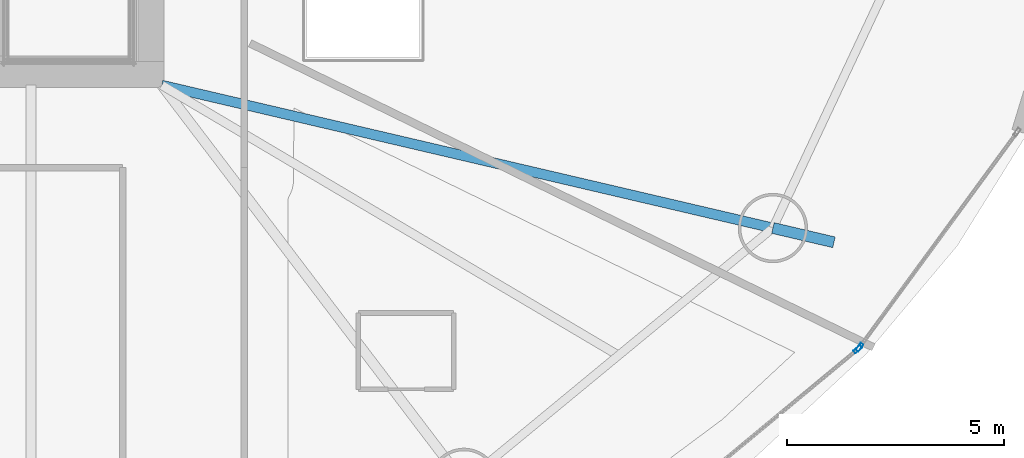
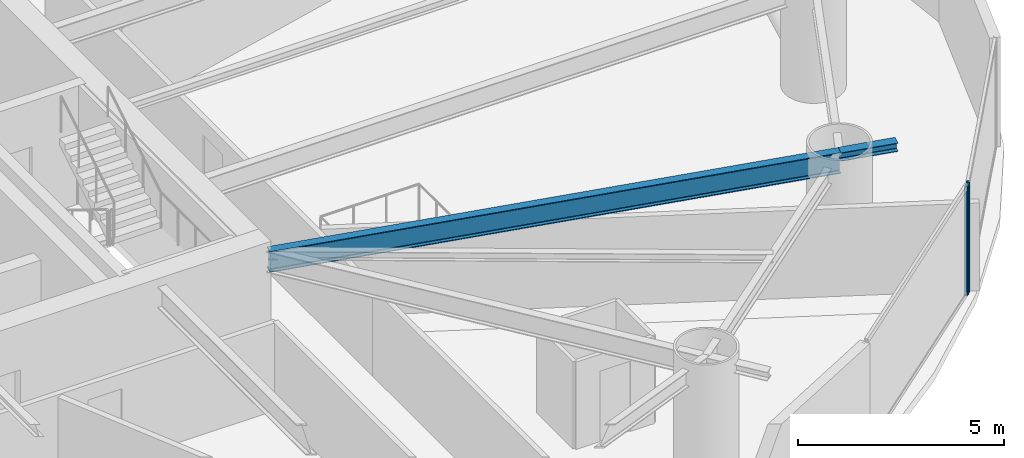
# One storey, part 7 of 20: 2 beams, 2 members, 2 elements without a shape of their own.
"""IFC4 building model written with IfcOpenShell, lengths in metres."""

from ifc_helpers import new_model, si_unit, direction, frame, origin, origin_2d, place, context, subcontext, project, spatial, hollow_rectangle, i_section, extrude, material, layer, layer_set, material_profile, profile_set, type_object, element, aggregate, save


model = new_model("IFC4")

# Units and contexts
model_context = context("Model", 3, precision=1e-05, world=origin(), true_north=direction((0.0, 1.0)))
body_context = subcontext(model_context, "Body", "Model", "MODEL_VIEW")
ifc_project = project(units=[si_unit("LENGTHUNIT", "METRE"), si_unit("AREAUNIT", "SQUARE_METRE"), si_unit("VOLUMEUNIT", "CUBIC_METRE"), si_unit("PLANEANGLEUNIT", "RADIAN"), si_unit("MASSUNIT", "GRAM", prefix="KILO")], contexts=[model_context])

# Site, building, storey
site_placement = place(None, origin())
site = spatial("IfcSite", under=ifc_project, at=site_placement, CompositionType="ELEMENT")
building_placement = place(site_placement, origin())
building = spatial("IfcBuilding", under=site, at=building_placement, Name="Bramvorn Convention Spire", CompositionType="ELEMENT")
storey_placement = place(building_placement, frame((0.0, 0.0, 58.89990234375)))
storey = spatial("IfcBuildingStorey", under=building, at=storey_placement, Name="L12", CompositionType="ELEMENT", Elevation=58.89990234375)

# Beams
ifc_material_1 = material(Name="Steel CSA G40.21 Grade 350 (350W)", Category="steel")
ifc_material_profile_1 = material_profile(ifc_material_1, i_section(OverallWidth=0.25390625, OverallDepth=0.2529296875, WebThickness=0.008544921875, FlangeThickness=0.01416015625, FilletRadius=0.011962890625, at=origin_2d()))
ifc_profile_set_1 = profile_set([ifc_material_profile_1], Name="Steel CSA G40.21 Grade 350 (350W) - W250X73")
beam_type_1 = type_object("IfcBeamType", Name="BM-W250X73", PredefinedType="BEAM", material=ifc_profile_set_1)
beam_1_placement = place(storey_placement, frame((63.35888671875, 15.253662109375, 3.12353515625), z_axis=(0.973776483182, -0.227506836822, 0.0), x_axis=(0.227506836822, 0.973776483182, 0.0)))
element("IfcBeam", 1, at=beam_1_placement, inside=storey, type_object=beam_type_1, Name="L12 slab-edge cantilever tip beam MC16", PredefinedType="BEAM", context=body_context, shape_type="SweptSolid", body=[
    extrude(i_section(OverallWidth=0.25390625, OverallDepth=0.2529296875, WebThickness=0.008544921875, FlangeThickness=0.01416015625, FilletRadius=0.011962890625, at=origin_2d()), origin(), (0.0, 0.0, 1.0), 1.447509765625),
])
ifc_material_profile_2 = material_profile(ifc_material_1, i_section(OverallWidth=0.22998046875, OverallDepth=0.616943359375, WebThickness=0.01318359375, FlangeThickness=0.022216796875, FilletRadius=0.02001953125, at=origin_2d()))
ifc_profile_set_2 = profile_set([ifc_material_profile_2], Name="Steel CSA G40.21 Grade 350 (350W) - W610X140")
beam_type_2 = type_object("IfcBeamType", Name="BM-W610X140", PredefinedType="BEAM", material=ifc_profile_set_2)
beam_2_placement = place(storey_placement, frame((49.25, 18.550048828125, 2.941650390625), z_axis=(0.973775294862, -0.227511923018, 0.0), x_axis=(0.227511923018, 0.973775294862, 0.0)))
element("IfcBeam", 2, at=beam_2_placement, inside=storey, type_object=beam_type_2, Name="L12 radial floor girder MC16", PredefinedType="BEAM", context=body_context, shape_type="SweptSolid", body=[
    extrude(i_section(OverallWidth=0.22998046875, OverallDepth=0.616943359375, WebThickness=0.01318359375, FlangeThickness=0.022216796875, FilletRadius=0.02001953125, at=origin_2d()), origin(), (0.0, 0.0, 1.0), 14.48876953125),
])

# Curtain wall, member
ifc_material_2 = material(Name="Anodised Bronze Unitised Curtain Wall", Category="aluminium")
ifc_layer = layer(ifc_material_2, 0.179931640625)
ifc_layer_set = layer_set([ifc_layer], Name="Anodised Bronze Unitised Curtain Wall - CW-HTL-FRIT")
curtain_wall_type = type_object("IfcCurtainWallType", Name="CW-HTL-FRIT", PredefinedType="USERDEFINED", material=ifc_layer_set)
curtain_wall_1_placement = place(storey_placement, origin())
curtain_wall_1 = element("IfcCurtainWall", 3, at=curtain_wall_1_placement, inside=storey, type_object=curtain_wall_type, Name="L12 fritted glass curtain wall 22", ObjectType="UNITISED CURTAIN WALL", PredefinedType="USERDEFINED")
ifc_material_3 = material(Name="Anodised Bronze Aluminium 6063-T6", Category="aluminium")
ifc_material_profile_3 = material_profile(ifc_material_3, hollow_rectangle(XDim=0.080078125, YDim=0.199951171875, WallThickness=0.00390625, InnerFilletRadius=0.0009765625, OuterFilletRadius=0.00390625, at=origin_2d()))
ifc_profile_set_3 = profile_set([ifc_material_profile_3], Name="Anodised Bronze Aluminium 6063-T6 - CWM80X200")
member_type = type_object("IfcMemberType", Name="CW-MUL-180", PredefinedType="MULLION", material=ifc_profile_set_3)
member_1_placement = place(storey_placement, frame((65.31787109375, 12.4560546875, 0.0), z_axis=(0.0, 0.0, 1.0), x_axis=(0.638261410331, -0.769819701022, 0.0)))
member_1 = element("IfcMember", 4, at=member_1_placement, type_object=member_type, Name="CW2 mullion 1", PredefinedType="MULLION", context=body_context, shape_type="SweptSolid", body=[
    extrude(hollow_rectangle(XDim=0.080078125, YDim=0.199951171875, WallThickness=0.00390625, InnerFilletRadius=0.0009765625, OuterFilletRadius=0.00390625, at=origin_2d()), origin(), (0.0, 0.0, 1.0), 3.25),
])
aggregate(curtain_wall_1, [member_1])

curtain_wall_2_placement = place(storey_placement, origin())
curtain_wall_2 = element("IfcCurtainWall", 5, at=curtain_wall_2_placement, inside=storey, type_object=curtain_wall_type, Name="L12 fritted glass curtain wall 23", ObjectType="UNITISED CURTAIN WALL", PredefinedType="USERDEFINED")
member_2_placement = place(storey_placement, frame((65.358642578125, 12.49951171875, 0.0), z_axis=(0.0, 0.0, 1.0), x_axis=(0.806748260257, -0.5908952907, 0.0)))
member_2 = element("IfcMember", 6, at=member_2_placement, type_object=member_type, Name="CW2 mullion 2", PredefinedType="MULLION", context=body_context, shape_type="SweptSolid", body=[
    extrude(hollow_rectangle(XDim=0.080078125, YDim=0.199951171875, WallThickness=0.00390625, InnerFilletRadius=0.0009765625, OuterFilletRadius=0.00390625, at=origin_2d()), origin(), (0.0, 0.0, 1.0), 3.25),
])
aggregate(curtain_wall_2, [member_2])

save(model, "model.ifc")
